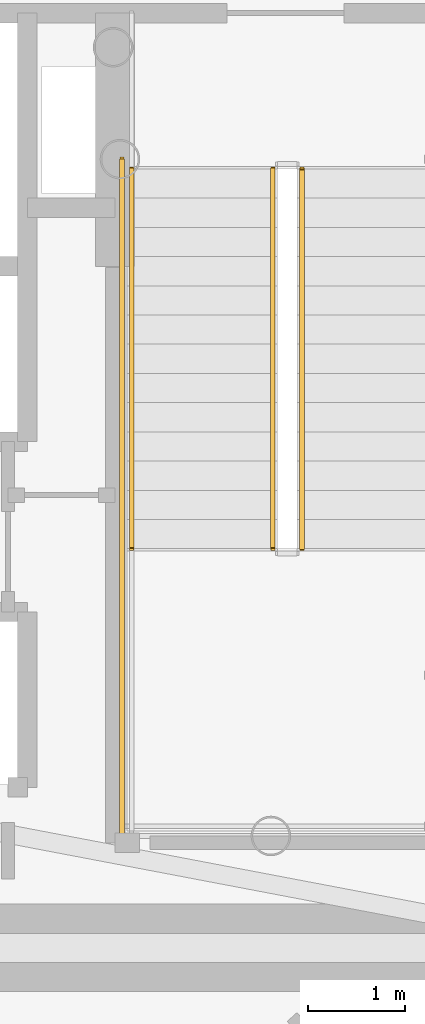
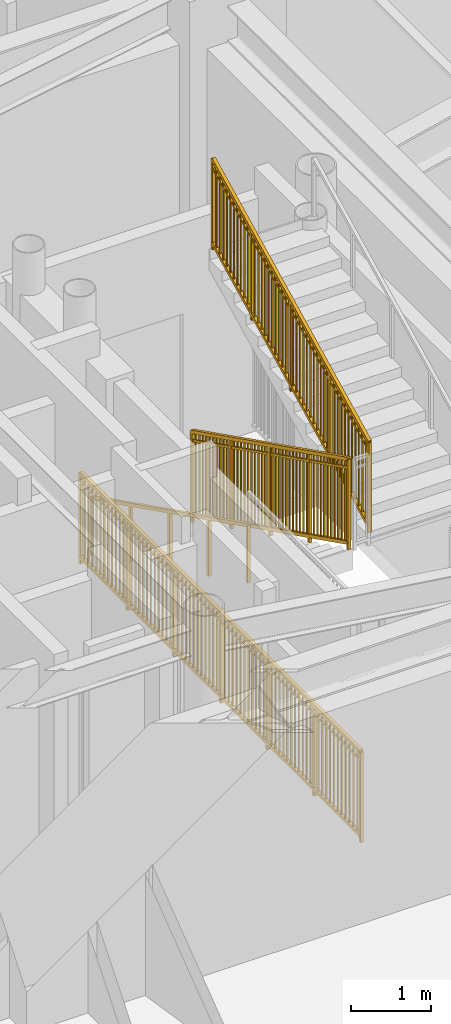
# One storey, part 31 of 35: 4 railings.
"""IFC4 building model written with IfcOpenShell, lengths in metres."""

from ifc_helpers import new_model, si_unit, direction, frame, origin, origin_2d, place, context, subcontext, project, spatial, rectangle, extrude, source, transform, mapped, material, type_object, element, save


model = new_model("IFC4")

# Units and contexts
model_context = context("Model", 3, precision=1e-05, world=origin(), true_north=direction((0.0, 1.0)))
body_context = subcontext(model_context, "Body", "Model", "MODEL_VIEW")
ifc_project = project(units=[si_unit("LENGTHUNIT", "METRE"), si_unit("AREAUNIT", "SQUARE_METRE"), si_unit("VOLUMEUNIT", "CUBIC_METRE"), si_unit("PLANEANGLEUNIT", "RADIAN"), si_unit("MASSUNIT", "GRAM", prefix="KILO")], contexts=[model_context])

# Site, building, storey
site_placement = place(None, origin())
site = spatial("IfcSite", under=ifc_project, at=site_placement, CompositionType="ELEMENT")
building_placement = place(site_placement, origin())
building = spatial("IfcBuilding", under=site, at=building_placement, Name="Linh Dai School and Residence Tower", CompositionType="ELEMENT")
storey_placement = place(building_placement, frame((0.0, 0.0, 49.199951171875)))
storey = spatial("IfcBuildingStorey", under=building, at=storey_placement, Name="L11", CompositionType="ELEMENT", Elevation=49.199951171875)

# Railings
ifc_material_1 = material(Name="Structural Steel S355JR", Category="steel")
railing_type_1 = type_object("IfcRailingType", Name="RL-ST-GUARD-1400", PredefinedType="GUARDRAIL", material=ifc_material_1)
shared_shape_1 = source(origin(), body_context, "Body", "SweptSolid", [
    extrude(rectangle(XDim=0.048095703125, YDim=0.048095703125, at=origin_2d()), frame((0.0, 0.0, 1.3759765625), z_axis=(0.0, -1.0, 0.0), x_axis=(1.0, 0.0, 0.0)), (0.0, 0.0, 1.0), 7.0),
    extrude(rectangle(XDim=0.048095703125, YDim=0.048095703125, at=origin_2d()), frame((0.0, 0.0, 0.10009765625), z_axis=(0.0, -1.0, 0.0), x_axis=(1.0, 0.0, 0.0)), (0.0, 0.0, 1.0), 7.0),
    extrude(rectangle(XDim=0.030029296875, YDim=0.030029296875, at=origin_2d()), frame((0.0, 0.0, 1.239990234375), z_axis=(0.0, -1.0, 0.0), x_axis=(1.0, 0.0, 0.0)), (0.0, 0.0, 1.0), 7.0),
    extrude(rectangle(XDim=0.02001953125, YDim=0.02001953125, at=origin_2d()), frame((0.0, -0.09716796875, 0.10009765625)), (0.0, 0.0, 1.0), 1.251708984375),
    extrude(rectangle(XDim=0.02001953125, YDim=0.02001953125, at=origin_2d()), frame((0.0, -0.1943359375, 0.10009765625)), (0.0, 0.0, 1.0), 1.251708984375),
    extrude(rectangle(XDim=0.02001953125, YDim=0.02001953125, at=origin_2d()), frame((0.0, -0.291748046875, 0.10009765625)), (0.0, 0.0, 1.0), 1.251708984375),
    extrude(rectangle(XDim=0.02001953125, YDim=0.02001953125, at=origin_2d()), frame((0.0, -0.388916015625, 0.10009765625)), (0.0, 0.0, 1.0), 1.251708984375),
    extrude(rectangle(XDim=0.02001953125, YDim=0.02001953125, at=origin_2d()), frame((0.0, -0.486083984375, 0.10009765625)), (0.0, 0.0, 1.0), 1.251708984375),
    extrude(rectangle(XDim=0.02001953125, YDim=0.02001953125, at=origin_2d()), frame((0.0, -0.583251953125, 0.10009765625)), (0.0, 0.0, 1.0), 1.251708984375),
    extrude(rectangle(XDim=0.02001953125, YDim=0.02001953125, at=origin_2d()), frame((0.0, -0.6806640625, 0.10009765625)), (0.0, 0.0, 1.0), 1.251708984375),
    extrude(rectangle(XDim=0.02001953125, YDim=0.02001953125, at=origin_2d()), frame((0.0, -0.77783203125, 0.10009765625)), (0.0, 0.0, 1.0), 1.251708984375),
    extrude(rectangle(XDim=0.02001953125, YDim=0.02001953125, at=origin_2d()), frame((0.0, -0.875, 0.10009765625)), (0.0, 0.0, 1.0), 1.251708984375),
    extrude(rectangle(XDim=0.02001953125, YDim=0.02001953125, at=origin_2d()), frame((0.0, -0.97216796875, 0.10009765625)), (0.0, 0.0, 1.0), 1.251708984375),
    extrude(rectangle(XDim=0.02001953125, YDim=0.02001953125, at=origin_2d()), frame((0.0, -1.0693359375, 0.10009765625)), (0.0, 0.0, 1.0), 1.251708984375),
    extrude(rectangle(XDim=0.02001953125, YDim=0.02001953125, at=origin_2d()), frame((0.0, -1.263916015625, 0.10009765625)), (0.0, 0.0, 1.0), 1.251708984375),
    extrude(rectangle(XDim=0.02001953125, YDim=0.02001953125, at=origin_2d()), frame((0.0, -1.361083984375, 0.10009765625)), (0.0, 0.0, 1.0), 1.251708984375),
    extrude(rectangle(XDim=0.02001953125, YDim=0.02001953125, at=origin_2d()), frame((0.0, -1.458251953125, 0.10009765625)), (0.0, 0.0, 1.0), 1.251708984375),
    extrude(rectangle(XDim=0.02001953125, YDim=0.02001953125, at=origin_2d()), frame((0.0, -1.5556640625, 0.10009765625)), (0.0, 0.0, 1.0), 1.251708984375),
    extrude(rectangle(XDim=0.02001953125, YDim=0.02001953125, at=origin_2d()), frame((0.0, -1.65283203125, 0.10009765625)), (0.0, 0.0, 1.0), 1.251708984375),
    extrude(rectangle(XDim=0.02001953125, YDim=0.02001953125, at=origin_2d()), frame((0.0, -1.75, 0.10009765625)), (0.0, 0.0, 1.0), 1.251708984375),
    extrude(rectangle(XDim=0.02001953125, YDim=0.02001953125, at=origin_2d()), frame((0.0, -1.84716796875, 0.10009765625)), (0.0, 0.0, 1.0), 1.251708984375),
    extrude(rectangle(XDim=0.02001953125, YDim=0.02001953125, at=origin_2d()), frame((0.0, -1.9443359375, 0.10009765625)), (0.0, 0.0, 1.0), 1.251708984375),
    extrude(rectangle(XDim=0.02001953125, YDim=0.02001953125, at=origin_2d()), frame((0.0, -2.041748046875, 0.10009765625)), (0.0, 0.0, 1.0), 1.251708984375),
    extrude(rectangle(XDim=0.02001953125, YDim=0.02001953125, at=origin_2d()), frame((0.0, -2.138916015625, 0.10009765625)), (0.0, 0.0, 1.0), 1.251708984375),
    extrude(rectangle(XDim=0.02001953125, YDim=0.02001953125, at=origin_2d()), frame((0.0, -2.236083984375, 0.10009765625)), (0.0, 0.0, 1.0), 1.251708984375),
    extrude(rectangle(XDim=0.02001953125, YDim=0.02001953125, at=origin_2d()), frame((0.0, -2.4306640625, 0.10009765625)), (0.0, 0.0, 1.0), 1.251708984375),
    extrude(rectangle(XDim=0.02001953125, YDim=0.02001953125, at=origin_2d()), frame((0.0, -2.52783203125, 0.10009765625)), (0.0, 0.0, 1.0), 1.251708984375),
    extrude(rectangle(XDim=0.02001953125, YDim=0.02001953125, at=origin_2d()), frame((0.0, -2.625, 0.10009765625)), (0.0, 0.0, 1.0), 1.251708984375),
    extrude(rectangle(XDim=0.02001953125, YDim=0.02001953125, at=origin_2d()), frame((0.0, -2.72216796875, 0.10009765625)), (0.0, 0.0, 1.0), 1.251708984375),
    extrude(rectangle(XDim=0.02001953125, YDim=0.02001953125, at=origin_2d()), frame((0.0, -2.8193359375, 0.10009765625)), (0.0, 0.0, 1.0), 1.251708984375),
    extrude(rectangle(XDim=0.02001953125, YDim=0.02001953125, at=origin_2d()), frame((0.0, -2.916748046875, 0.10009765625)), (0.0, 0.0, 1.0), 1.251708984375),
    extrude(rectangle(XDim=0.02001953125, YDim=0.02001953125, at=origin_2d()), frame((0.0, -3.013916015625, 0.10009765625)), (0.0, 0.0, 1.0), 1.251708984375),
    extrude(rectangle(XDim=0.02001953125, YDim=0.02001953125, at=origin_2d()), frame((0.0, -3.111083984375, 0.10009765625)), (0.0, 0.0, 1.0), 1.251708984375),
    extrude(rectangle(XDim=0.02001953125, YDim=0.02001953125, at=origin_2d()), frame((0.0, -3.208251953125, 0.10009765625)), (0.0, 0.0, 1.0), 1.251708984375),
    extrude(rectangle(XDim=0.02001953125, YDim=0.02001953125, at=origin_2d()), frame((0.0, -3.3056640625, 0.10009765625)), (0.0, 0.0, 1.0), 1.251708984375),
    extrude(rectangle(XDim=0.02001953125, YDim=0.02001953125, at=origin_2d()), frame((0.0, -3.40283203125, 0.10009765625)), (0.0, 0.0, 1.0), 1.251708984375),
    extrude(rectangle(XDim=0.02001953125, YDim=0.02001953125, at=origin_2d()), frame((0.0, -3.59716796875, 0.10009765625)), (0.0, 0.0, 1.0), 1.251708984375),
    extrude(rectangle(XDim=0.02001953125, YDim=0.02001953125, at=origin_2d()), frame((0.0, -3.6943359375, 0.10009765625)), (0.0, 0.0, 1.0), 1.251708984375),
    extrude(rectangle(XDim=0.02001953125, YDim=0.02001953125, at=origin_2d()), frame((0.0, -3.791748046875, 0.10009765625)), (0.0, 0.0, 1.0), 1.251708984375),
    extrude(rectangle(XDim=0.02001953125, YDim=0.02001953125, at=origin_2d()), frame((0.0, -3.888916015625, 0.10009765625)), (0.0, 0.0, 1.0), 1.251708984375),
    extrude(rectangle(XDim=0.02001953125, YDim=0.02001953125, at=origin_2d()), frame((0.0, -3.986083984375, 0.10009765625)), (0.0, 0.0, 1.0), 1.251708984375),
    extrude(rectangle(XDim=0.02001953125, YDim=0.02001953125, at=origin_2d()), frame((0.0, -4.083251953125, 0.10009765625)), (0.0, 0.0, 1.0), 1.251708984375),
    extrude(rectangle(XDim=0.02001953125, YDim=0.02001953125, at=origin_2d()), frame((0.0, -4.1806640625, 0.10009765625)), (0.0, 0.0, 1.0), 1.251708984375),
    extrude(rectangle(XDim=0.02001953125, YDim=0.02001953125, at=origin_2d()), frame((0.0, -4.27783203125, 0.10009765625)), (0.0, 0.0, 1.0), 1.251708984375),
    extrude(rectangle(XDim=0.02001953125, YDim=0.02001953125, at=origin_2d()), frame((0.0, -4.375, 0.10009765625)), (0.0, 0.0, 1.0), 1.251708984375),
    extrude(rectangle(XDim=0.02001953125, YDim=0.02001953125, at=origin_2d()), frame((0.0, -4.47216796875, 0.10009765625)), (0.0, 0.0, 1.0), 1.251708984375),
    extrude(rectangle(XDim=0.02001953125, YDim=0.02001953125, at=origin_2d()), frame((0.0, -4.5693359375, 0.10009765625)), (0.0, 0.0, 1.0), 1.251708984375),
    extrude(rectangle(XDim=0.02001953125, YDim=0.02001953125, at=origin_2d()), frame((0.0, -4.763916015625, 0.10009765625)), (0.0, 0.0, 1.0), 1.251708984375),
    extrude(rectangle(XDim=0.02001953125, YDim=0.02001953125, at=origin_2d()), frame((0.0, -4.861083984375, 0.10009765625)), (0.0, 0.0, 1.0), 1.251708984375),
    extrude(rectangle(XDim=0.02001953125, YDim=0.02001953125, at=origin_2d()), frame((0.0, -4.958251953125, 0.10009765625)), (0.0, 0.0, 1.0), 1.251708984375),
    extrude(rectangle(XDim=0.02001953125, YDim=0.02001953125, at=origin_2d()), frame((0.0, -5.0556640625, 0.10009765625)), (0.0, 0.0, 1.0), 1.251708984375),
    extrude(rectangle(XDim=0.02001953125, YDim=0.02001953125, at=origin_2d()), frame((0.0, -5.15283203125, 0.10009765625)), (0.0, 0.0, 1.0), 1.251708984375),
    extrude(rectangle(XDim=0.02001953125, YDim=0.02001953125, at=origin_2d()), frame((0.0, -5.25, 0.10009765625)), (0.0, 0.0, 1.0), 1.251708984375),
    extrude(rectangle(XDim=0.02001953125, YDim=0.02001953125, at=origin_2d()), frame((0.0, -5.34716796875, 0.10009765625)), (0.0, 0.0, 1.0), 1.251708984375),
    extrude(rectangle(XDim=0.02001953125, YDim=0.02001953125, at=origin_2d()), frame((0.0, -5.4443359375, 0.10009765625)), (0.0, 0.0, 1.0), 1.251708984375),
    extrude(rectangle(XDim=0.02001953125, YDim=0.02001953125, at=origin_2d()), frame((0.0, -5.541748046875, 0.10009765625)), (0.0, 0.0, 1.0), 1.251708984375),
    extrude(rectangle(XDim=0.02001953125, YDim=0.02001953125, at=origin_2d()), frame((0.0, -5.638916015625, 0.10009765625)), (0.0, 0.0, 1.0), 1.251708984375),
    extrude(rectangle(XDim=0.02001953125, YDim=0.02001953125, at=origin_2d()), frame((0.0, -5.736083984375, 0.10009765625)), (0.0, 0.0, 1.0), 1.251708984375),
    extrude(rectangle(XDim=0.02001953125, YDim=0.02001953125, at=origin_2d()), frame((0.0, -5.9306640625, 0.10009765625)), (0.0, 0.0, 1.0), 1.251708984375),
    extrude(rectangle(XDim=0.02001953125, YDim=0.02001953125, at=origin_2d()), frame((0.0, -6.02783203125, 0.10009765625)), (0.0, 0.0, 1.0), 1.251708984375),
    extrude(rectangle(XDim=0.02001953125, YDim=0.02001953125, at=origin_2d()), frame((0.0, -6.125, 0.10009765625)), (0.0, 0.0, 1.0), 1.251708984375),
    extrude(rectangle(XDim=0.02001953125, YDim=0.02001953125, at=origin_2d()), frame((0.0, -6.22216796875, 0.10009765625)), (0.0, 0.0, 1.0), 1.251708984375),
    extrude(rectangle(XDim=0.02001953125, YDim=0.02001953125, at=origin_2d()), frame((0.0, -6.3193359375, 0.10009765625)), (0.0, 0.0, 1.0), 1.251708984375),
    extrude(rectangle(XDim=0.02001953125, YDim=0.02001953125, at=origin_2d()), frame((0.0, -6.416748046875, 0.10009765625)), (0.0, 0.0, 1.0), 1.251708984375),
    extrude(rectangle(XDim=0.02001953125, YDim=0.02001953125, at=origin_2d()), frame((0.0, -6.513916015625, 0.10009765625)), (0.0, 0.0, 1.0), 1.251708984375),
    extrude(rectangle(XDim=0.02001953125, YDim=0.02001953125, at=origin_2d()), frame((0.0, -6.611083984375, 0.10009765625)), (0.0, 0.0, 1.0), 1.251708984375),
    extrude(rectangle(XDim=0.02001953125, YDim=0.02001953125, at=origin_2d()), frame((0.0, -6.708251953125, 0.10009765625)), (0.0, 0.0, 1.0), 1.251708984375),
    extrude(rectangle(XDim=0.02001953125, YDim=0.02001953125, at=origin_2d()), frame((0.0, -6.8056640625, 0.10009765625)), (0.0, 0.0, 1.0), 1.251708984375),
    extrude(rectangle(XDim=0.02001953125, YDim=0.02001953125, at=origin_2d()), frame((0.0, -6.90283203125, 0.10009765625)), (0.0, 0.0, 1.0), 1.251708984375),
    extrude(rectangle(XDim=0.0419921875, YDim=0.0419921875, at=origin_2d()), origin(), (0.0, 0.0, 1.0), 1.3759765625),
    extrude(rectangle(XDim=0.0419921875, YDim=0.0419921875, at=origin_2d()), frame((0.0, -1.166748046875, 0.0)), (0.0, 0.0, 1.0), 1.3759765625),
    extrude(rectangle(XDim=0.0419921875, YDim=0.0419921875, at=origin_2d()), frame((0.0, -2.333251953125, 0.0)), (0.0, 0.0, 1.0), 1.3759765625),
    extrude(rectangle(XDim=0.0419921875, YDim=0.0419921875, at=origin_2d()), frame((0.0, -3.5, 0.0)), (0.0, 0.0, 1.0), 1.3759765625),
    extrude(rectangle(XDim=0.0419921875, YDim=0.0419921875, at=origin_2d()), frame((0.0, -4.666748046875, 0.0)), (0.0, 0.0, 1.0), 1.3759765625),
    extrude(rectangle(XDim=0.0419921875, YDim=0.0419921875, at=origin_2d()), frame((0.0, -5.833251953125, 0.0)), (0.0, 0.0, 1.0), 1.3759765625),
    extrude(rectangle(XDim=0.0419921875, YDim=0.0419921875, at=origin_2d()), frame((0.0, -7.0, 0.0)), (0.0, 0.0, 1.0), 1.3759765625),
])
railing_1_placement = place(storey_placement, frame((40.969970703125, 28.35009765625, 0.0)))
element("IfcRailing", 1, at=railing_1_placement, inside=storey, type_object=railing_type_1, Name="L11 ST2 stair guard 10", PredefinedType="GUARDRAIL", context=body_context, shape_type="MappedRepresentation", body=[
    mapped(shared_shape_1, transform((0.0, 0.0, 0.0), x_axis=(1.0, 0.0, 0.0), y_axis=(0.0, 1.0, 0.0), z_axis=(0.0, 0.0, 1.0), scale=1.0)),
])
shared_shape_2 = source(origin(), body_context, "Body", "SweptSolid", [
    extrude(rectangle(XDim=0.048095703125, YDim=0.048095703125, at=origin_2d()), frame((0.0, 0.0, 1.3759765625), z_axis=(0.0, 0.894427191, 0.4472135955), x_axis=(-1.0, 0.0, 0.0)), (0.0, 0.0, 1.0), 4.360107421875),
    extrude(rectangle(XDim=0.048095703125, YDim=0.048095703125, at=origin_2d()), frame((0.0, 0.0, 0.10009765625), z_axis=(0.0, 0.894427191, 0.4472135955), x_axis=(-1.0, 0.0, 0.0)), (0.0, 0.0, 1.0), 4.360107421875),
    extrude(rectangle(XDim=0.030029296875, YDim=0.030029296875, at=origin_2d()), frame((0.0, 0.0, 1.239990234375), z_axis=(0.0, 0.894427191, 0.4472135955), x_axis=(-1.0, 0.0, 0.0)), (0.0, 0.0, 1.0), 4.360107421875),
    extrude(rectangle(XDim=0.02001953125, YDim=0.02001953125, at=origin_2d()), frame((0.0, 0.086669921875, 0.143310546875)), (0.0, 0.0, 1.0), 1.251708984375),
    extrude(rectangle(XDim=0.02001953125, YDim=0.02001953125, at=origin_2d()), frame((0.0, 0.17333984375, 0.186767578125)), (0.0, 0.0, 1.0), 1.251708984375),
    extrude(rectangle(XDim=0.02001953125, YDim=0.02001953125, at=origin_2d()), frame((0.0, 0.260009765625, 0.22998046875)), (0.0, 0.0, 1.0), 1.251708984375),
    extrude(rectangle(XDim=0.02001953125, YDim=0.02001953125, at=origin_2d()), frame((0.0, 0.3466796875, 0.2734375)), (0.0, 0.0, 1.0), 1.251708984375),
    extrude(rectangle(XDim=0.02001953125, YDim=0.02001953125, at=origin_2d()), frame((0.0, 0.433349609375, 0.316650390625)), (0.0, 0.0, 1.0), 1.251708984375),
    extrude(rectangle(XDim=0.02001953125, YDim=0.02001953125, at=origin_2d()), frame((0.0, 0.52001953125, 0.360107421875)), (0.0, 0.0, 1.0), 1.251708984375),
    extrude(rectangle(XDim=0.02001953125, YDim=0.02001953125, at=origin_2d()), frame((0.0, 0.606689453125, 0.4033203125)), (0.0, 0.0, 1.0), 1.251708984375),
    extrude(rectangle(XDim=0.02001953125, YDim=0.02001953125, at=origin_2d()), frame((0.0, 0.693359375, 0.44677734375)), (0.0, 0.0, 1.0), 1.251708984375),
    extrude(rectangle(XDim=0.02001953125, YDim=0.02001953125, at=origin_2d()), frame((0.0, 0.780029296875, 0.489990234375)), (0.0, 0.0, 1.0), 1.251708984375),
    extrude(rectangle(XDim=0.02001953125, YDim=0.02001953125, at=origin_2d()), frame((0.0, 0.86669921875, 0.533447265625)), (0.0, 0.0, 1.0), 1.251708984375),
    extrude(rectangle(XDim=0.02001953125, YDim=0.02001953125, at=origin_2d()), frame((0.0, 1.0400390625, 0.6201171875)), (0.0, 0.0, 1.0), 1.251708984375),
    extrude(rectangle(XDim=0.02001953125, YDim=0.02001953125, at=origin_2d()), frame((0.0, 1.126708984375, 0.663330078125)), (0.0, 0.0, 1.0), 1.251708984375),
    extrude(rectangle(XDim=0.02001953125, YDim=0.02001953125, at=origin_2d()), frame((0.0, 1.21337890625, 0.706787109375)), (0.0, 0.0, 1.0), 1.251708984375),
    extrude(rectangle(XDim=0.02001953125, YDim=0.02001953125, at=origin_2d()), frame((0.0, 1.300048828125, 0.75)), (0.0, 0.0, 1.0), 1.251708984375),
    extrude(rectangle(XDim=0.02001953125, YDim=0.02001953125, at=origin_2d()), frame((0.0, 1.38671875, 0.79345703125)), (0.0, 0.0, 1.0), 1.251708984375),
    extrude(rectangle(XDim=0.02001953125, YDim=0.02001953125, at=origin_2d()), frame((0.0, 1.473388671875, 0.836669921875)), (0.0, 0.0, 1.0), 1.251708984375),
    extrude(rectangle(XDim=0.02001953125, YDim=0.02001953125, at=origin_2d()), frame((0.0, 1.56005859375, 0.880126953125)), (0.0, 0.0, 1.0), 1.251708984375),
    extrude(rectangle(XDim=0.02001953125, YDim=0.02001953125, at=origin_2d()), frame((0.0, 1.646728515625, 0.92333984375)), (0.0, 0.0, 1.0), 1.251708984375),
    extrude(rectangle(XDim=0.02001953125, YDim=0.02001953125, at=origin_2d()), frame((0.0, 1.7333984375, 0.966796875)), (0.0, 0.0, 1.0), 1.251708984375),
    extrude(rectangle(XDim=0.02001953125, YDim=0.02001953125, at=origin_2d()), frame((0.0, 1.820068359375, 1.010009765625)), (0.0, 0.0, 1.0), 1.251708984375),
    extrude(rectangle(XDim=0.02001953125, YDim=0.02001953125, at=origin_2d()), frame((0.0, 1.90673828125, 1.053466796875)), (0.0, 0.0, 1.0), 1.251708984375),
    extrude(rectangle(XDim=0.02001953125, YDim=0.02001953125, at=origin_2d()), frame((0.0, 1.9931640625, 1.0966796875)), (0.0, 0.0, 1.0), 1.251708984375),
    extrude(rectangle(XDim=0.02001953125, YDim=0.02001953125, at=origin_2d()), frame((0.0, 2.079833984375, 1.14013671875)), (0.0, 0.0, 1.0), 1.251708984375),
    extrude(rectangle(XDim=0.02001953125, YDim=0.02001953125, at=origin_2d()), frame((0.0, 2.16650390625, 1.183349609375)), (0.0, 0.0, 1.0), 1.251708984375),
    extrude(rectangle(XDim=0.02001953125, YDim=0.02001953125, at=origin_2d()), frame((0.0, 2.253173828125, 1.226806640625)), (0.0, 0.0, 1.0), 1.251708984375),
    extrude(rectangle(XDim=0.02001953125, YDim=0.02001953125, at=origin_2d()), frame((0.0, 2.33984375, 1.27001953125)), (0.0, 0.0, 1.0), 1.251708984375),
    extrude(rectangle(XDim=0.02001953125, YDim=0.02001953125, at=origin_2d()), frame((0.0, 2.426513671875, 1.3134765625)), (0.0, 0.0, 1.0), 1.251708984375),
    extrude(rectangle(XDim=0.02001953125, YDim=0.02001953125, at=origin_2d()), frame((0.0, 2.51318359375, 1.356689453125)), (0.0, 0.0, 1.0), 1.251708984375),
    extrude(rectangle(XDim=0.02001953125, YDim=0.02001953125, at=origin_2d()), frame((0.0, 2.599853515625, 1.400146484375)), (0.0, 0.0, 1.0), 1.251708984375),
    extrude(rectangle(XDim=0.02001953125, YDim=0.02001953125, at=origin_2d()), frame((0.0, 2.6865234375, 1.443359375)), (0.0, 0.0, 1.0), 1.251708984375),
    extrude(rectangle(XDim=0.02001953125, YDim=0.02001953125, at=origin_2d()), frame((0.0, 2.773193359375, 1.48681640625)), (0.0, 0.0, 1.0), 1.251708984375),
    extrude(rectangle(XDim=0.02001953125, YDim=0.02001953125, at=origin_2d()), frame((0.0, 2.85986328125, 1.530029296875)), (0.0, 0.0, 1.0), 1.251708984375),
    extrude(rectangle(XDim=0.02001953125, YDim=0.02001953125, at=origin_2d()), frame((0.0, 3.033203125, 1.61669921875)), (0.0, 0.0, 1.0), 1.251708984375),
    extrude(rectangle(XDim=0.02001953125, YDim=0.02001953125, at=origin_2d()), frame((0.0, 3.119873046875, 1.66015625)), (0.0, 0.0, 1.0), 1.251708984375),
    extrude(rectangle(XDim=0.02001953125, YDim=0.02001953125, at=origin_2d()), frame((0.0, 3.20654296875, 1.703369140625)), (0.0, 0.0, 1.0), 1.251708984375),
    extrude(rectangle(XDim=0.02001953125, YDim=0.02001953125, at=origin_2d()), frame((0.0, 3.293212890625, 1.746826171875)), (0.0, 0.0, 1.0), 1.251708984375),
    extrude(rectangle(XDim=0.02001953125, YDim=0.02001953125, at=origin_2d()), frame((0.0, 3.3798828125, 1.7900390625)), (0.0, 0.0, 1.0), 1.251708984375),
    extrude(rectangle(XDim=0.02001953125, YDim=0.02001953125, at=origin_2d()), frame((0.0, 3.466552734375, 1.83349609375)), (0.0, 0.0, 1.0), 1.251708984375),
    extrude(rectangle(XDim=0.02001953125, YDim=0.02001953125, at=origin_2d()), frame((0.0, 3.55322265625, 1.876708984375)), (0.0, 0.0, 1.0), 1.251708984375),
    extrude(rectangle(XDim=0.02001953125, YDim=0.02001953125, at=origin_2d()), frame((0.0, 3.639892578125, 1.920166015625)), (0.0, 0.0, 1.0), 1.251708984375),
    extrude(rectangle(XDim=0.02001953125, YDim=0.02001953125, at=origin_2d()), frame((0.0, 3.7265625, 1.96337890625)), (0.0, 0.0, 1.0), 1.251708984375),
    extrude(rectangle(XDim=0.02001953125, YDim=0.02001953125, at=origin_2d()), frame((0.0, 3.813232421875, 2.0068359375)), (0.0, 0.0, 1.0), 1.251708984375),
    extrude(rectangle(XDim=0.0419921875, YDim=0.0419921875, at=origin_2d()), origin(), (0.0, 0.0, 1.0), 1.3759765625),
    extrude(rectangle(XDim=0.0419921875, YDim=0.0419921875, at=origin_2d()), frame((0.0, 0.97509765625, 0.487548828125)), (0.0, 0.0, 1.0), 1.3759765625),
    extrude(rectangle(XDim=0.0419921875, YDim=0.0419921875, at=origin_2d()), frame((0.0, 1.949951171875, 0.97509765625)), (0.0, 0.0, 1.0), 1.3759765625),
    extrude(rectangle(XDim=0.0419921875, YDim=0.0419921875, at=origin_2d()), frame((0.0, 2.9248046875, 1.46240234375)), (0.0, 0.0, 1.0), 1.3759765625),
    extrude(rectangle(XDim=0.0419921875, YDim=0.0419921875, at=origin_2d()), frame((0.0, 3.89990234375, 1.949951171875)), (0.0, 0.0, 1.0), 1.3759765625),
])
railing_2_placement = place(storey_placement, frame((42.820068359375, 24.35009765625, 2.25)))
element("IfcRailing", 2, at=railing_2_placement, inside=storey, type_object=railing_type_1, Name="L11 ST2 stair guard 6", PredefinedType="GUARDRAIL", context=body_context, shape_type="MappedRepresentation", body=[
    mapped(shared_shape_2, transform((0.0, 0.0, 0.0), x_axis=(1.0, 0.0, 0.0), y_axis=(0.0, 1.0, 0.0), z_axis=(0.0, 0.0, 1.0), scale=1.0)),
])
shared_shape_3 = source(origin(), body_context, "Body", "SweptSolid", [
    extrude(rectangle(XDim=0.048095703125, YDim=0.048095703125, at=origin_2d()), frame((0.0, 0.0, 1.3759765625), z_axis=(0.0, -0.894427191, 0.4472135955), x_axis=(1.0, 0.0, 0.0)), (0.0, 0.0, 1.0), 4.360107421875),
    extrude(rectangle(XDim=0.048095703125, YDim=0.048095703125, at=origin_2d()), frame((0.0, 0.0, 0.10009765625), z_axis=(0.0, -0.894427191, 0.4472135955), x_axis=(1.0, 0.0, 0.0)), (0.0, 0.0, 1.0), 4.360107421875),
    extrude(rectangle(XDim=0.030029296875, YDim=0.030029296875, at=origin_2d()), frame((0.0, 0.0, 1.239990234375), z_axis=(0.0, -0.894427191, 0.4472135955), x_axis=(1.0, 0.0, 0.0)), (0.0, 0.0, 1.0), 4.360107421875),
    extrude(rectangle(XDim=0.02001953125, YDim=0.02001953125, at=origin_2d()), frame((0.0, -0.086669921875, 0.143310546875)), (0.0, 0.0, 1.0), 1.251708984375),
    extrude(rectangle(XDim=0.02001953125, YDim=0.02001953125, at=origin_2d()), frame((0.0, -0.17333984375, 0.186767578125)), (0.0, 0.0, 1.0), 1.251708984375),
    extrude(rectangle(XDim=0.02001953125, YDim=0.02001953125, at=origin_2d()), frame((0.0, -0.260009765625, 0.22998046875)), (0.0, 0.0, 1.0), 1.251708984375),
    extrude(rectangle(XDim=0.02001953125, YDim=0.02001953125, at=origin_2d()), frame((0.0, -0.3466796875, 0.2734375)), (0.0, 0.0, 1.0), 1.251708984375),
    extrude(rectangle(XDim=0.02001953125, YDim=0.02001953125, at=origin_2d()), frame((0.0, -0.433349609375, 0.316650390625)), (0.0, 0.0, 1.0), 1.251708984375),
    extrude(rectangle(XDim=0.02001953125, YDim=0.02001953125, at=origin_2d()), frame((0.0, -0.52001953125, 0.360107421875)), (0.0, 0.0, 1.0), 1.251708984375),
    extrude(rectangle(XDim=0.02001953125, YDim=0.02001953125, at=origin_2d()), frame((0.0, -0.606689453125, 0.4033203125)), (0.0, 0.0, 1.0), 1.251708984375),
    extrude(rectangle(XDim=0.02001953125, YDim=0.02001953125, at=origin_2d()), frame((0.0, -0.693359375, 0.44677734375)), (0.0, 0.0, 1.0), 1.251708984375),
    extrude(rectangle(XDim=0.02001953125, YDim=0.02001953125, at=origin_2d()), frame((0.0, -0.780029296875, 0.489990234375)), (0.0, 0.0, 1.0), 1.251708984375),
    extrude(rectangle(XDim=0.02001953125, YDim=0.02001953125, at=origin_2d()), frame((0.0, -0.86669921875, 0.533447265625)), (0.0, 0.0, 1.0), 1.251708984375),
    extrude(rectangle(XDim=0.02001953125, YDim=0.02001953125, at=origin_2d()), frame((0.0, -1.0400390625, 0.6201171875)), (0.0, 0.0, 1.0), 1.251708984375),
    extrude(rectangle(XDim=0.02001953125, YDim=0.02001953125, at=origin_2d()), frame((0.0, -1.126708984375, 0.663330078125)), (0.0, 0.0, 1.0), 1.251708984375),
    extrude(rectangle(XDim=0.02001953125, YDim=0.02001953125, at=origin_2d()), frame((0.0, -1.21337890625, 0.706787109375)), (0.0, 0.0, 1.0), 1.251708984375),
    extrude(rectangle(XDim=0.02001953125, YDim=0.02001953125, at=origin_2d()), frame((0.0, -1.300048828125, 0.75)), (0.0, 0.0, 1.0), 1.251708984375),
    extrude(rectangle(XDim=0.02001953125, YDim=0.02001953125, at=origin_2d()), frame((0.0, -1.38671875, 0.79345703125)), (0.0, 0.0, 1.0), 1.251708984375),
    extrude(rectangle(XDim=0.02001953125, YDim=0.02001953125, at=origin_2d()), frame((0.0, -1.473388671875, 0.836669921875)), (0.0, 0.0, 1.0), 1.251708984375),
    extrude(rectangle(XDim=0.02001953125, YDim=0.02001953125, at=origin_2d()), frame((0.0, -1.56005859375, 0.880126953125)), (0.0, 0.0, 1.0), 1.251708984375),
    extrude(rectangle(XDim=0.02001953125, YDim=0.02001953125, at=origin_2d()), frame((0.0, -1.646728515625, 0.92333984375)), (0.0, 0.0, 1.0), 1.251708984375),
    extrude(rectangle(XDim=0.02001953125, YDim=0.02001953125, at=origin_2d()), frame((0.0, -1.7333984375, 0.966796875)), (0.0, 0.0, 1.0), 1.251708984375),
    extrude(rectangle(XDim=0.02001953125, YDim=0.02001953125, at=origin_2d()), frame((0.0, -1.820068359375, 1.010009765625)), (0.0, 0.0, 1.0), 1.251708984375),
    extrude(rectangle(XDim=0.02001953125, YDim=0.02001953125, at=origin_2d()), frame((0.0, -1.90673828125, 1.053466796875)), (0.0, 0.0, 1.0), 1.251708984375),
    extrude(rectangle(XDim=0.02001953125, YDim=0.02001953125, at=origin_2d()), frame((0.0, -1.9931640625, 1.0966796875)), (0.0, 0.0, 1.0), 1.251708984375),
    extrude(rectangle(XDim=0.02001953125, YDim=0.02001953125, at=origin_2d()), frame((0.0, -2.079833984375, 1.14013671875)), (0.0, 0.0, 1.0), 1.251708984375),
    extrude(rectangle(XDim=0.02001953125, YDim=0.02001953125, at=origin_2d()), frame((0.0, -2.16650390625, 1.183349609375)), (0.0, 0.0, 1.0), 1.251708984375),
    extrude(rectangle(XDim=0.02001953125, YDim=0.02001953125, at=origin_2d()), frame((0.0, -2.253173828125, 1.226806640625)), (0.0, 0.0, 1.0), 1.251708984375),
    extrude(rectangle(XDim=0.02001953125, YDim=0.02001953125, at=origin_2d()), frame((0.0, -2.33984375, 1.27001953125)), (0.0, 0.0, 1.0), 1.251708984375),
    extrude(rectangle(XDim=0.02001953125, YDim=0.02001953125, at=origin_2d()), frame((0.0, -2.426513671875, 1.3134765625)), (0.0, 0.0, 1.0), 1.251708984375),
    extrude(rectangle(XDim=0.02001953125, YDim=0.02001953125, at=origin_2d()), frame((0.0, -2.51318359375, 1.356689453125)), (0.0, 0.0, 1.0), 1.251708984375),
    extrude(rectangle(XDim=0.02001953125, YDim=0.02001953125, at=origin_2d()), frame((0.0, -2.599853515625, 1.400146484375)), (0.0, 0.0, 1.0), 1.251708984375),
    extrude(rectangle(XDim=0.02001953125, YDim=0.02001953125, at=origin_2d()), frame((0.0, -2.6865234375, 1.443359375)), (0.0, 0.0, 1.0), 1.251708984375),
    extrude(rectangle(XDim=0.02001953125, YDim=0.02001953125, at=origin_2d()), frame((0.0, -2.773193359375, 1.48681640625)), (0.0, 0.0, 1.0), 1.251708984375),
    extrude(rectangle(XDim=0.02001953125, YDim=0.02001953125, at=origin_2d()), frame((0.0, -2.85986328125, 1.530029296875)), (0.0, 0.0, 1.0), 1.251708984375),
    extrude(rectangle(XDim=0.02001953125, YDim=0.02001953125, at=origin_2d()), frame((0.0, -3.033203125, 1.61669921875)), (0.0, 0.0, 1.0), 1.251708984375),
    extrude(rectangle(XDim=0.02001953125, YDim=0.02001953125, at=origin_2d()), frame((0.0, -3.119873046875, 1.66015625)), (0.0, 0.0, 1.0), 1.251708984375),
    extrude(rectangle(XDim=0.02001953125, YDim=0.02001953125, at=origin_2d()), frame((0.0, -3.20654296875, 1.703369140625)), (0.0, 0.0, 1.0), 1.251708984375),
    extrude(rectangle(XDim=0.02001953125, YDim=0.02001953125, at=origin_2d()), frame((0.0, -3.293212890625, 1.746826171875)), (0.0, 0.0, 1.0), 1.251708984375),
    extrude(rectangle(XDim=0.02001953125, YDim=0.02001953125, at=origin_2d()), frame((0.0, -3.3798828125, 1.7900390625)), (0.0, 0.0, 1.0), 1.251708984375),
    extrude(rectangle(XDim=0.02001953125, YDim=0.02001953125, at=origin_2d()), frame((0.0, -3.466552734375, 1.83349609375)), (0.0, 0.0, 1.0), 1.251708984375),
    extrude(rectangle(XDim=0.02001953125, YDim=0.02001953125, at=origin_2d()), frame((0.0, -3.55322265625, 1.876708984375)), (0.0, 0.0, 1.0), 1.251708984375),
    extrude(rectangle(XDim=0.02001953125, YDim=0.02001953125, at=origin_2d()), frame((0.0, -3.639892578125, 1.920166015625)), (0.0, 0.0, 1.0), 1.251708984375),
    extrude(rectangle(XDim=0.02001953125, YDim=0.02001953125, at=origin_2d()), frame((0.0, -3.7265625, 1.96337890625)), (0.0, 0.0, 1.0), 1.251708984375),
    extrude(rectangle(XDim=0.02001953125, YDim=0.02001953125, at=origin_2d()), frame((0.0, -3.813232421875, 2.0068359375)), (0.0, 0.0, 1.0), 1.251708984375),
    extrude(rectangle(XDim=0.0419921875, YDim=0.0419921875, at=origin_2d()), origin(), (0.0, 0.0, 1.0), 1.3759765625),
    extrude(rectangle(XDim=0.0419921875, YDim=0.0419921875, at=origin_2d()), frame((0.0, -0.97509765625, 0.487548828125)), (0.0, 0.0, 1.0), 1.3759765625),
    extrude(rectangle(XDim=0.0419921875, YDim=0.0419921875, at=origin_2d()), frame((0.0, -1.949951171875, 0.97509765625)), (0.0, 0.0, 1.0), 1.3759765625),
    extrude(rectangle(XDim=0.0419921875, YDim=0.0419921875, at=origin_2d()), frame((0.0, -2.9248046875, 1.46240234375)), (0.0, 0.0, 1.0), 1.3759765625),
    extrude(rectangle(XDim=0.0419921875, YDim=0.0419921875, at=origin_2d()), frame((0.0, -3.89990234375, 1.949951171875)), (0.0, 0.0, 1.0), 1.3759765625),
])
railing_3_placement = place(storey_placement, frame((42.52001953125, 28.25, 0.150146484375)))
element("IfcRailing", 3, at=railing_3_placement, inside=storey, type_object=railing_type_1, Name="L11 ST2 stair guard 1", PredefinedType="GUARDRAIL", context=body_context, shape_type="MappedRepresentation", body=[
    mapped(shared_shape_3, transform((0.0, 0.0, 0.0), x_axis=(1.0, 0.0, 0.0), y_axis=(0.0, 1.0, 0.0), z_axis=(0.0, 0.0, 1.0), scale=1.0)),
])
ifc_material_2 = material(Name="Brushed Stainless Steel Handrail", Category="steel")
railing_type_2 = type_object("IfcRailingType", Name="RL-ST-HANDRAIL-900", PredefinedType="HANDRAIL", material=ifc_material_2)
shared_shape_4 = source(origin(), body_context, "Body", "SweptSolid", [
    extrude(rectangle(XDim=0.048095703125, YDim=0.048095703125, at=origin_2d()), frame((0.0, 0.0, 0.8759765625), z_axis=(0.0, -0.894427191, 0.4472135955), x_axis=(1.0, 0.0, 0.0)), (0.0, 0.0, 1.0), 4.360107421875),
    extrude(rectangle(XDim=0.0419921875, YDim=0.0419921875, at=origin_2d()), origin(), (0.0, 0.0, 1.0), 0.8759765625),
    extrude(rectangle(XDim=0.0419921875, YDim=0.0419921875, at=origin_2d()), frame((0.0, -0.97509765625, 0.487548828125)), (0.0, 0.0, 1.0), 0.8759765625),
    extrude(rectangle(XDim=0.0419921875, YDim=0.0419921875, at=origin_2d()), frame((0.0, -1.949951171875, 0.97509765625)), (0.0, 0.0, 1.0), 0.8759765625),
    extrude(rectangle(XDim=0.0419921875, YDim=0.0419921875, at=origin_2d()), frame((0.0, -2.9248046875, 1.46240234375)), (0.0, 0.0, 1.0), 0.8759765625),
    extrude(rectangle(XDim=0.0419921875, YDim=0.0419921875, at=origin_2d()), frame((0.0, -3.89990234375, 1.949951171875)), (0.0, 0.0, 1.0), 0.8759765625),
])
railing_4_placement = place(storey_placement, frame((41.070068359375, 28.25, 0.150146484375)))
element("IfcRailing", 4, at=railing_4_placement, inside=storey, type_object=railing_type_2, Name="L11 ST2 stair handrail 1", PredefinedType="HANDRAIL", context=body_context, shape_type="MappedRepresentation", body=[
    mapped(shared_shape_4, transform((0.0, 0.0, 0.0), x_axis=(1.0, 0.0, 0.0), y_axis=(0.0, 1.0, 0.0), z_axis=(0.0, 0.0, 1.0), scale=1.0)),
])

save(model, "model.ifc")
